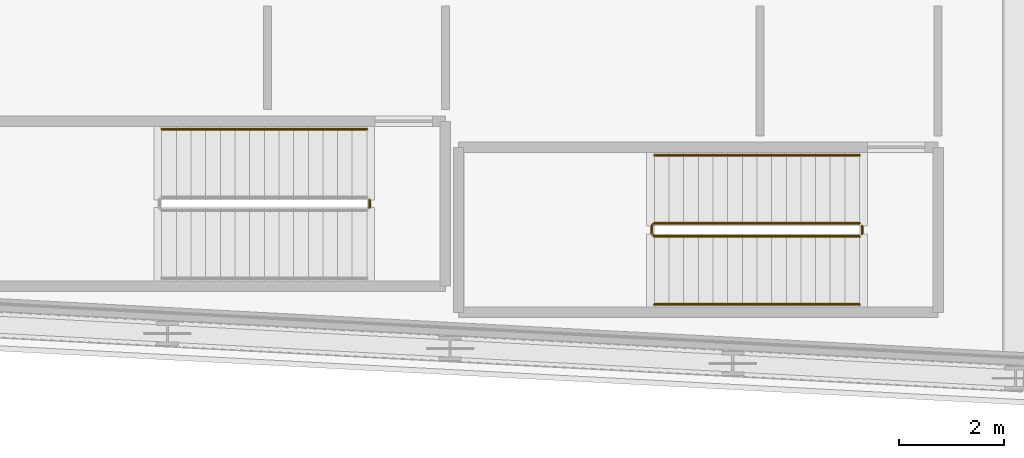
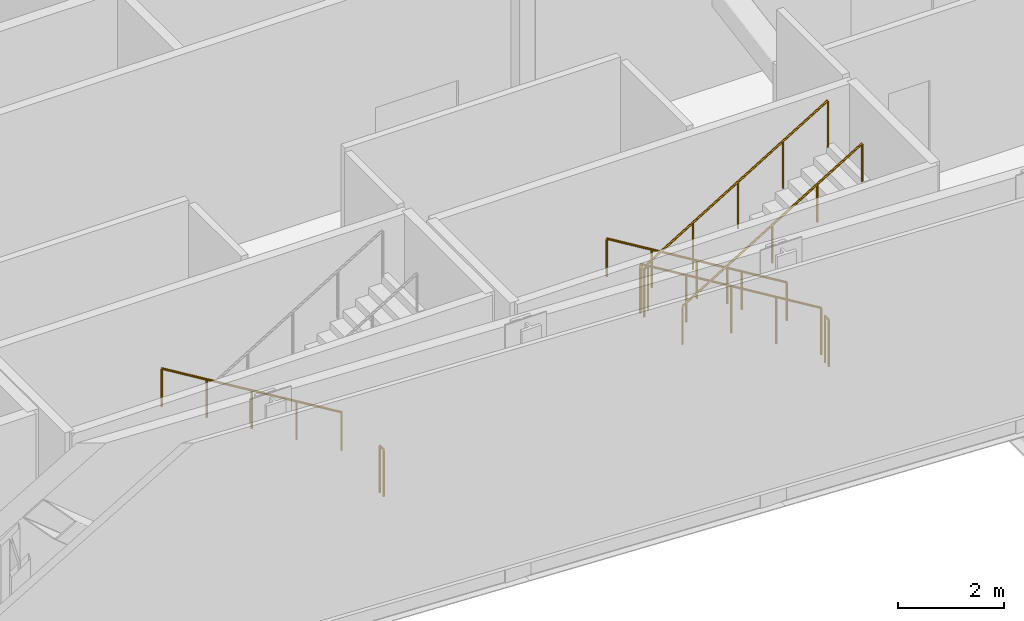
# One storey, part 27 of 30: 6 railings.
"""IFC4 building model written with IfcOpenShell, lengths in metres."""

from ifc_helpers import new_model, si_unit, direction, frame, origin, origin_2d, place, context, subcontext, project, spatial, circle, extrude, material, type_object, element, save


model = new_model("IFC4")

# Units and contexts
model_context = context("Model", 3, precision=1e-05, world=origin(), true_north=direction((0.0, 1.0)))
body_context = subcontext(model_context, "Body", "Model", "MODEL_VIEW")
ifc_project = project(units=[si_unit("LENGTHUNIT", "METRE"), si_unit("AREAUNIT", "SQUARE_METRE"), si_unit("VOLUMEUNIT", "CUBIC_METRE"), si_unit("PLANEANGLEUNIT", "RADIAN"), si_unit("MASSUNIT", "GRAM", prefix="KILO")], contexts=[model_context])

# Site, building, storey
site_placement = place(None, origin())
site = spatial("IfcSite", under=ifc_project, at=site_placement, CompositionType="ELEMENT")
building_placement = place(site_placement, origin())
building = spatial("IfcBuilding", under=site, at=building_placement, Name="Kheshtan School and Residences Tower", CompositionType="ELEMENT")
storey_placement = place(building_placement, frame((0.0, 0.0, 89.0)))
storey = spatial("IfcBuildingStorey", under=building, at=storey_placement, Name="L20", CompositionType="ELEMENT", Elevation=89.0)

# Railings
ifc_material_1 = material(Name="Stainless steel balustrade", Category="steel")
railing_type_1 = type_object("IfcRailingType", Name="Stair guard 1100", PredefinedType="GUARDRAIL", material=ifc_material_1)
railing_1_placement = place(storey_placement, frame((87.820068359375, 23.949951171875, 0.169921875)))
element("IfcRailing", 1, at=railing_1_placement, inside=storey, type_object=railing_type_1, Name="L20 ST4 stair guard 1", PredefinedType="GUARDRAIL", context=body_context, shape_type="SweptSolid", body=[
    extrude(circle(Radius=0.02392578125, at=origin_2d()), frame((0.0, 0.0, 1.076171875), z_axis=(-0.854784984964, 0.0, 0.518982301701), x_axis=(0.0, -1.0, 0.0)), (0.0, 0.0, 1.0), 4.586181640625),
    extrude(circle(Radius=0.02392578125, at=origin_2d()), frame((-3.920166015625, 0.0, 3.4560546875), z_axis=(-0.705375805398, -0.708833529934, 0.0), x_axis=(0.708833529934, -0.705375805398, 0.0)), (0.0, 0.0, 1.0), 0.070556640625),
    extrude(circle(Radius=0.02392578125, at=origin_2d()), frame((-3.969970703125, -0.050048828125, 3.4560546875), z_axis=(0.0, -1.0, 0.0), x_axis=(1.0, 0.0, 0.0)), (0.0, 0.0, 1.0), 0.14990234375),
    extrude(circle(Radius=0.02392578125, at=origin_2d()), frame((-3.969970703125, -0.199951171875, 3.4560546875), z_axis=(0.270666314514, -0.271993110173, 0.92344977893), x_axis=(0.708833529934, 0.705375805398, 0.0)), (0.0, 0.0, 1.0), 0.18408203125),
    extrude(circle(Radius=0.02392578125, at=origin_2d()), frame((-3.920166015625, -0.25, 3.6259765625), z_axis=(0.854784984964, 0.0, 0.518982301701), x_axis=(0.0, 1.0, 0.0)), (0.0, 0.0, 1.0), 4.586181640625),
    extrude(circle(Radius=0.02099609375, at=origin_2d()), origin(), (0.0, 0.0, 1.0), 1.052001953125),
    extrude(circle(Radius=0.02099609375, at=origin_2d()), frame((-0.97998046875, 0.0, 0.594970703125)), (0.0, 0.0, 1.0), 1.052001953125),
    extrude(circle(Radius=0.02099609375, at=origin_2d()), frame((-1.9599609375, 0.0, 1.18994140625)), (0.0, 0.0, 1.0), 1.052001953125),
    extrude(circle(Radius=0.02099609375, at=origin_2d()), frame((-2.940185546875, 0.0, 1.78515625)), (0.0, 0.0, 1.0), 1.052001953125),
    extrude(circle(Radius=0.02099609375, at=origin_2d()), frame((-3.920166015625, 0.0, 2.380126953125)), (0.0, 0.0, 1.0), 1.052001953125),
    extrude(circle(Radius=0.02099609375, at=origin_2d()), frame((-3.969970703125, -0.050048828125, 2.380126953125)), (0.0, 0.0, 1.0), 1.052001953125),
    extrude(circle(Radius=0.02099609375, at=origin_2d()), frame((-3.969970703125, -0.199951171875, 2.380126953125)), (0.0, 0.0, 1.0), 1.052001953125),
    extrude(circle(Radius=0.02099609375, at=origin_2d()), frame((-3.920166015625, -0.25, 2.550048828125)), (0.0, 0.0, 1.0), 1.052001953125),
    extrude(circle(Radius=0.02099609375, at=origin_2d()), frame((-2.940185546875, -0.25, 3.14501953125)), (0.0, 0.0, 1.0), 1.052001953125),
    extrude(circle(Radius=0.02099609375, at=origin_2d()), frame((-1.9599609375, -0.25, 3.740234375)), (0.0, 0.0, 1.0), 1.052001953125),
    extrude(circle(Radius=0.02099609375, at=origin_2d()), frame((-0.97998046875, -0.25, 4.335205078125)), (0.0, 0.0, 1.0), 1.052001953125),
    extrude(circle(Radius=0.02099609375, at=origin_2d()), frame((0.0, -0.25, 4.93017578125)), (0.0, 0.0, 1.0), 1.052001953125),
])
for number, where, name in (
    (2, (87.8701171875, 23.89990234375, 0.0), "L20 ST4 stair guard 2"),
    (3, (78.4599609375, 24.39990234375, 0.0), "L20 ST5 stair guard 2"),
):
    element("IfcRailing", number, at=place(storey_placement, frame(where)), inside=storey, type_object=railing_type_1, Name=name, PredefinedType="GUARDRAIL", context=body_context, shape_type="SweptSolid", body=[
        extrude(circle(Radius=0.02392578125, at=origin_2d()), frame((0.0, 0.0, 1.076171875), z_axis=(0.0, -1.0, 0.0), x_axis=(1.0, 0.0, 0.0)), (0.0, 0.0, 1.0), 0.14990234375),
        extrude(circle(Radius=0.02099609375, at=origin_2d()), origin(), (0.0, 0.0, 1.0), 1.052001953125),
        extrude(circle(Radius=0.02099609375, at=origin_2d()), frame((0.0, -0.14990234375, 0.0)), (0.0, 0.0, 1.0), 1.052001953125),
    ])
ifc_material_2 = material(Name="Stainless steel handrail", Category="steel")
railing_type_2 = type_object("IfcRailingType", Name="Stair handrail 900", PredefinedType="HANDRAIL", material=ifc_material_2)
railing_2_placement = place(storey_placement, frame((87.820068359375, 25.25, 0.169921875)))
element("IfcRailing", 4, at=railing_2_placement, inside=storey, type_object=railing_type_2, Name="L20 ST4 stair handrail 1", PredefinedType="HANDRAIL", context=body_context, shape_type="SweptSolid", body=[
    extrude(circle(Radius=0.02392578125, at=origin_2d()), frame((0.0, 0.0, 0.8759765625), z_axis=(-0.854784984964, 0.0, 0.518982301701), x_axis=(0.0, -1.0, 0.0)), (0.0, 0.0, 1.0), 4.586181640625),
    extrude(circle(Radius=0.02099609375, at=origin_2d()), origin(), (0.0, 0.0, 1.0), 0.851806640625),
    extrude(circle(Radius=0.02099609375, at=origin_2d()), frame((-0.97998046875, 0.0, 0.594970703125)), (0.0, 0.0, 1.0), 0.851806640625),
    extrude(circle(Radius=0.02099609375, at=origin_2d()), frame((-1.9599609375, 0.0, 1.18994140625)), (0.0, 0.0, 1.0), 0.851806640625),
    extrude(circle(Radius=0.02099609375, at=origin_2d()), frame((-2.940185546875, 0.0, 1.78515625)), (0.0, 0.0, 1.0), 0.851806640625),
    extrude(circle(Radius=0.02099609375, at=origin_2d()), frame((-3.920166015625, 0.0, 2.380126953125)), (0.0, 0.0, 1.0), 0.851806640625),
])
railing_3_placement = place(storey_placement, frame((83.89990234375, 22.39990234375, 2.719970703125)))
element("IfcRailing", 5, at=railing_3_placement, inside=storey, type_object=railing_type_2, Name="L20 ST4 stair handrail 2", PredefinedType="HANDRAIL", context=body_context, shape_type="SweptSolid", body=[
    extrude(circle(Radius=0.02392578125, at=origin_2d()), frame((0.0, 0.0, 0.8759765625), z_axis=(0.854784984964, 0.0, 0.518982301701), x_axis=(0.0, 1.0, 0.0)), (0.0, 0.0, 1.0), 4.586181640625),
    extrude(circle(Radius=0.02099609375, at=origin_2d()), origin(), (0.0, 0.0, 1.0), 0.851806640625),
    extrude(circle(Radius=0.02099609375, at=origin_2d()), frame((0.97998046875, 0.0, 0.594970703125)), (0.0, 0.0, 1.0), 0.851806640625),
    extrude(circle(Radius=0.02099609375, at=origin_2d()), frame((1.9599609375, 0.0, 1.18994140625)), (0.0, 0.0, 1.0), 0.851806640625),
    extrude(circle(Radius=0.02099609375, at=origin_2d()), frame((2.940185546875, 0.0, 1.78515625)), (0.0, 0.0, 1.0), 0.851806640625),
    extrude(circle(Radius=0.02099609375, at=origin_2d()), frame((3.920166015625, 0.0, 2.380126953125)), (0.0, 0.0, 1.0), 0.851806640625),
])
railing_4_placement = place(storey_placement, frame((78.409912109375, 25.75, 0.169921875)))
element("IfcRailing", 6, at=railing_4_placement, inside=storey, type_object=railing_type_2, Name="L20 ST5 stair handrail 1", PredefinedType="HANDRAIL", context=body_context, shape_type="SweptSolid", body=[
    extrude(circle(Radius=0.02392578125, at=origin_2d()), frame((0.0, 0.0, 0.8759765625), z_axis=(-0.854770645689, 0.0, 0.519005918337), x_axis=(0.0, -1.0, 0.0)), (0.0, 0.0, 1.0), 4.5859375),
    extrude(circle(Radius=0.02099609375, at=origin_2d()), origin(), (0.0, 0.0, 1.0), 0.851806640625),
    extrude(circle(Radius=0.02099609375, at=origin_2d()), frame((-0.97998046875, 0.0, 0.594970703125)), (0.0, 0.0, 1.0), 0.851806640625),
    extrude(circle(Radius=0.02099609375, at=origin_2d()), frame((-1.9599609375, 0.0, 1.18994140625)), (0.0, 0.0, 1.0), 0.851806640625),
    extrude(circle(Radius=0.02099609375, at=origin_2d()), frame((-2.93994140625, 0.0, 1.78515625)), (0.0, 0.0, 1.0), 0.851806640625),
    extrude(circle(Radius=0.02099609375, at=origin_2d()), frame((-3.919921875, 0.0, 2.380126953125)), (0.0, 0.0, 1.0), 0.851806640625),
])

save(model, "model.ifc")
